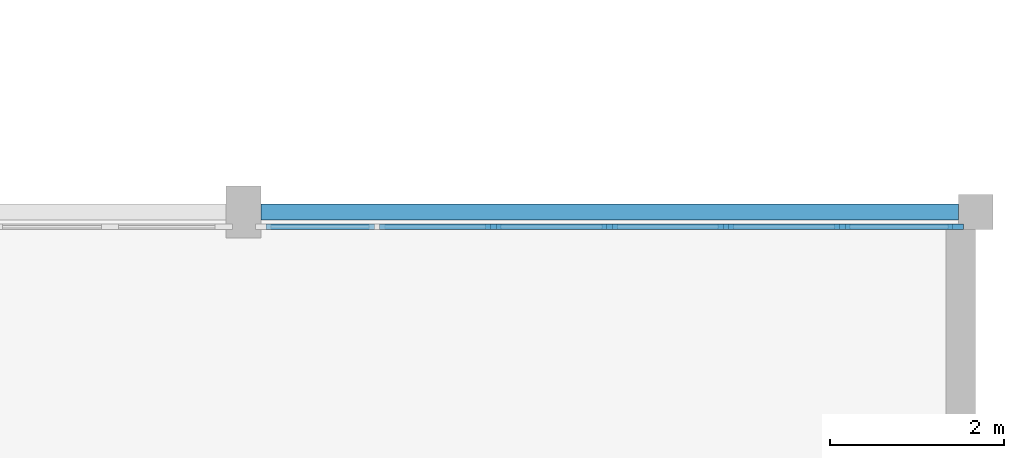
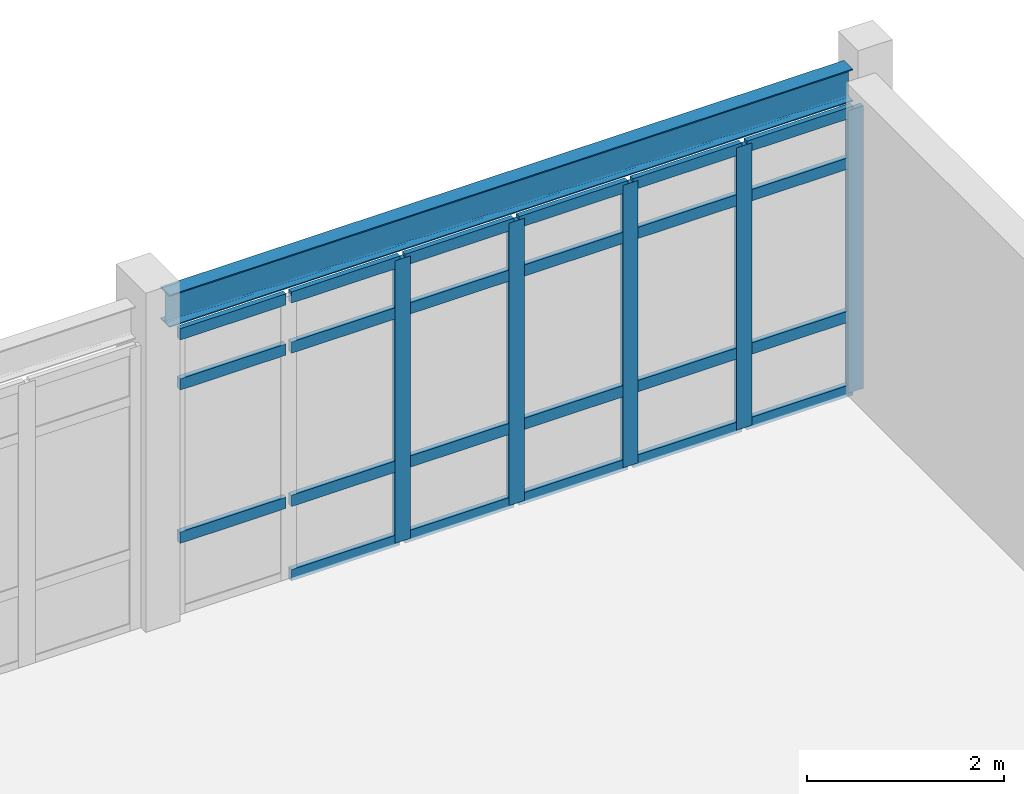
# One storey, part 95 of 147: 28 members, 1 beam, 1 element without a shape of its own.
"""IFC4 building model written with IfcOpenShell, lengths in metres."""

from ifc_helpers import new_model, si_unit, direction, frame, origin, origin_2d, place, context, subcontext, project, spatial, rectangle, i_section, extrude, material, material_profile, profile_set, type_object, element, aggregate, save


model = new_model("IFC4")

# Units and contexts
model_context = context("Model", 3, precision=1e-05, world=origin(), true_north=direction((0.0, 1.0)))
body_context = subcontext(model_context, "Body", "Model", "MODEL_VIEW")
ifc_project = project(units=[si_unit("LENGTHUNIT", "METRE"), si_unit("AREAUNIT", "SQUARE_METRE"), si_unit("VOLUMEUNIT", "CUBIC_METRE"), si_unit("PLANEANGLEUNIT", "RADIAN"), si_unit("MASSUNIT", "GRAM", prefix="KILO")], contexts=[model_context])

# Site, building, storey
site_placement = place(None, origin())
site = spatial("IfcSite", under=ifc_project, at=site_placement, CompositionType="ELEMENT")
building_placement = place(site_placement, origin())
building = spatial("IfcBuilding", under=site, at=building_placement, Name="Malvenik Polytechnic", CompositionType="ELEMENT")
storey_placement = place(building_placement, frame((0.0, 0.0, 5.10009765625)))
storey = spatial("IfcBuildingStorey", under=building, at=storey_placement, Name="L01", CompositionType="ELEMENT", Elevation=5.10009765625)

# Curtain wall, members
ifc_material_1 = material(Name="Anodised aluminium 6060-T6", Category="aluminium")
curtain_wall_type = type_object("IfcCurtainWallType", Name="ARC-CW-CW-02", PredefinedType="NOTDEFINED", material=ifc_material_1)
curtain_wall_placement = place(storey_placement, origin())
curtain_wall = element("IfcCurtainWall", 1, at=curtain_wall_placement, inside=storey, type_object=curtain_wall_type, Name="Unitised Curtain Wall CW-02 L01 #70", PredefinedType="NOTDEFINED")
ifc_material_2 = material(Name="Anodised aluminium", Category="aluminium")
ifc_material_profile_1 = material_profile(ifc_material_2, rectangle(XDim=0.06005859375, YDim=0.179931640625, at=origin_2d()), Name="ALU MULLION 60x180")
ifc_profile_set_1 = profile_set([ifc_material_profile_1], Name="Anodised aluminium")
member_type_1 = type_object("IfcMemberType", Name="ARC-CWM-180", PredefinedType="MULLION", material=ifc_profile_set_1)
member_1_placement = place(storey_placement, frame((179.26611328125, 107.830078125, 0.0), z_axis=(0.0, 0.0, 1.0), x_axis=(0.0, 1.0, 0.0)))
member_1 = element("IfcMember", 2, at=member_1_placement, type_object=member_type_1, Name="CW-02 mullion 3", PredefinedType="MULLION", context=body_context, shape_type="SweptSolid", body=[
    extrude(rectangle(XDim=0.06005859375, YDim=0.179931640625, at=origin_2d()), origin(), (0.0, 0.0, 1.0), 3.497802734375),
])
member_2_placement = place(storey_placement, frame((180.60009765625, 107.830078125, 0.0), z_axis=(0.0, 0.0, 1.0), x_axis=(0.0, 1.0, 0.0)))
member_2 = element("IfcMember", 3, at=member_2_placement, type_object=member_type_1, Name="CW-02 mullion 4", PredefinedType="MULLION", context=body_context, shape_type="SweptSolid", body=[
    extrude(rectangle(XDim=0.06005859375, YDim=0.179931640625, at=origin_2d()), origin(), (0.0, 0.0, 1.0), 3.497802734375),
])
member_3_placement = place(storey_placement, frame((181.93408203125, 107.830078125, 0.0), z_axis=(0.0, 0.0, 1.0), x_axis=(0.0, 1.0, 0.0)))
member_3 = element("IfcMember", 4, at=member_3_placement, type_object=member_type_1, Name="CW-02 mullion 5", PredefinedType="MULLION", context=body_context, shape_type="SweptSolid", body=[
    extrude(rectangle(XDim=0.06005859375, YDim=0.179931640625, at=origin_2d()), origin(), (0.0, 0.0, 1.0), 3.497802734375),
])
member_4_placement = place(storey_placement, frame((183.26806640625, 107.830078125, 0.0), z_axis=(0.0, 0.0, 1.0), x_axis=(0.0, 1.0, 0.0)))
member_4 = element("IfcMember", 5, at=member_4_placement, type_object=member_type_1, Name="CW-02 mullion 6", PredefinedType="MULLION", context=body_context, shape_type="SweptSolid", body=[
    extrude(rectangle(XDim=0.06005859375, YDim=0.179931640625, at=origin_2d()), origin(), (0.0, 0.0, 1.0), 3.497802734375),
])
member_5_placement = place(storey_placement, frame((184.572021484375, 107.830078125, 0.0), z_axis=(0.0, 0.0, 1.0), x_axis=(0.0, 1.0, 0.0)))
member_5 = element("IfcMember", 6, at=member_5_placement, type_object=member_type_1, Name="CW-02 mullion 7", PredefinedType="MULLION", context=body_context, shape_type="SweptSolid", body=[
    extrude(rectangle(XDim=0.06005859375, YDim=0.179931640625, at=origin_2d()), origin(), (0.0, 0.0, 1.0), 3.497802734375),
])
ifc_material_profile_2 = material_profile(ifc_material_2, rectangle(XDim=0.06005859375, YDim=0.139892578125, at=origin_2d()), Name="ALU TRANSOM 60x140")
ifc_profile_set_2 = profile_set([ifc_material_profile_2], Name="Anodised aluminium")
member_type_2 = type_object("IfcMemberType", Name="ARC-CWT-140", PredefinedType="USERDEFINED", material=ifc_profile_set_2)
member_6_placement = place(storey_placement, frame((176.657958984375, 107.830078125, 0.949951171875), z_axis=(1.0, 0.0, 0.0), x_axis=(0.0, 1.0, 0.0)))
member_6 = element("IfcMember", 7, at=member_6_placement, type_object=member_type_2, Name="CW-02 transom 1.2", ObjectType="TRANSOM", PredefinedType="USERDEFINED", context=body_context, shape_type="SweptSolid", body=[
    extrude(rectangle(XDim=0.06005859375, YDim=0.139892578125, at=origin_2d()), origin(), (0.0, 0.0, 1.0), 1.244140625),
])
member_7_placement = place(storey_placement, frame((176.657958984375, 107.830078125, 2.847900390625), z_axis=(1.0, 0.0, 0.0), x_axis=(0.0, 1.0, 0.0)))
member_7 = element("IfcMember", 8, at=member_7_placement, type_object=member_type_2, Name="CW-02 transom 1.3", ObjectType="TRANSOM", PredefinedType="USERDEFINED", context=body_context, shape_type="SweptSolid", body=[
    extrude(rectangle(XDim=0.06005859375, YDim=0.139892578125, at=origin_2d()), origin(), (0.0, 0.0, 1.0), 1.244140625),
])
member_8_placement = place(storey_placement, frame((176.657958984375, 107.830078125, 3.468017578125), z_axis=(1.0, 0.0, 0.0), x_axis=(0.0, 1.0, 0.0)))
member_8 = element("IfcMember", 9, at=member_8_placement, type_object=member_type_2, Name="CW-02 transom 1.4", ObjectType="TRANSOM", PredefinedType="USERDEFINED", context=body_context, shape_type="SweptSolid", body=[
    extrude(rectangle(XDim=0.06005859375, YDim=0.139892578125, at=origin_2d()), origin(), (0.0, 0.0, 1.0), 1.244140625),
])
member_9_placement = place(storey_placement, frame((177.9619140625, 107.830078125, 0.02978515625), z_axis=(1.0, 0.0, 0.0), x_axis=(0.0, 1.0, 0.0)))
member_9 = element("IfcMember", 10, at=member_9_placement, type_object=member_type_2, Name="CW-02 transom 2.1", ObjectType="TRANSOM", PredefinedType="USERDEFINED", context=body_context, shape_type="SweptSolid", body=[
    extrude(rectangle(XDim=0.06005859375, YDim=0.139892578125, at=origin_2d()), origin(), (0.0, 0.0, 1.0), 1.274169921875),
])
member_10_placement = place(storey_placement, frame((177.9619140625, 107.830078125, 0.949951171875), z_axis=(1.0, 0.0, 0.0), x_axis=(0.0, 1.0, 0.0)))
member_10 = element("IfcMember", 11, at=member_10_placement, type_object=member_type_2, Name="CW-02 transom 2.2", ObjectType="TRANSOM", PredefinedType="USERDEFINED", context=body_context, shape_type="SweptSolid", body=[
    extrude(rectangle(XDim=0.06005859375, YDim=0.139892578125, at=origin_2d()), origin(), (0.0, 0.0, 1.0), 1.274169921875),
])
member_11_placement = place(storey_placement, frame((177.9619140625, 107.830078125, 2.847900390625), z_axis=(1.0, 0.0, 0.0), x_axis=(0.0, 1.0, 0.0)))
member_11 = element("IfcMember", 12, at=member_11_placement, type_object=member_type_2, Name="CW-02 transom 2.3", ObjectType="TRANSOM", PredefinedType="USERDEFINED", context=body_context, shape_type="SweptSolid", body=[
    extrude(rectangle(XDim=0.06005859375, YDim=0.139892578125, at=origin_2d()), origin(), (0.0, 0.0, 1.0), 1.274169921875),
])
member_12_placement = place(storey_placement, frame((177.9619140625, 107.830078125, 3.468017578125), z_axis=(1.0, 0.0, 0.0), x_axis=(0.0, 1.0, 0.0)))
member_12 = element("IfcMember", 13, at=member_12_placement, type_object=member_type_2, Name="CW-02 transom 2.4", ObjectType="TRANSOM", PredefinedType="USERDEFINED", context=body_context, shape_type="SweptSolid", body=[
    extrude(rectangle(XDim=0.06005859375, YDim=0.139892578125, at=origin_2d()), origin(), (0.0, 0.0, 1.0), 1.274169921875),
])
member_13_placement = place(storey_placement, frame((179.2958984375, 107.830078125, 0.02978515625), z_axis=(1.0, 0.0, 0.0), x_axis=(0.0, 1.0, 0.0)))
member_13 = element("IfcMember", 14, at=member_13_placement, type_object=member_type_2, Name="CW-02 transom 3.1", ObjectType="TRANSOM", PredefinedType="USERDEFINED", context=body_context, shape_type="SweptSolid", body=[
    extrude(rectangle(XDim=0.06005859375, YDim=0.139892578125, at=origin_2d()), origin(), (0.0, 0.0, 1.0), 1.274169921875),
])
member_14_placement = place(storey_placement, frame((179.2958984375, 107.830078125, 0.949951171875), z_axis=(1.0, 0.0, 0.0), x_axis=(0.0, 1.0, 0.0)))
member_14 = element("IfcMember", 15, at=member_14_placement, type_object=member_type_2, Name="CW-02 transom 3.2", ObjectType="TRANSOM", PredefinedType="USERDEFINED", context=body_context, shape_type="SweptSolid", body=[
    extrude(rectangle(XDim=0.06005859375, YDim=0.139892578125, at=origin_2d()), origin(), (0.0, 0.0, 1.0), 1.274169921875),
])
member_15_placement = place(storey_placement, frame((179.2958984375, 107.830078125, 2.847900390625), z_axis=(1.0, 0.0, 0.0), x_axis=(0.0, 1.0, 0.0)))
member_15 = element("IfcMember", 16, at=member_15_placement, type_object=member_type_2, Name="CW-02 transom 3.3", ObjectType="TRANSOM", PredefinedType="USERDEFINED", context=body_context, shape_type="SweptSolid", body=[
    extrude(rectangle(XDim=0.06005859375, YDim=0.139892578125, at=origin_2d()), origin(), (0.0, 0.0, 1.0), 1.274169921875),
])
member_16_placement = place(storey_placement, frame((179.2958984375, 107.830078125, 3.468017578125), z_axis=(1.0, 0.0, 0.0), x_axis=(0.0, 1.0, 0.0)))
member_16 = element("IfcMember", 17, at=member_16_placement, type_object=member_type_2, Name="CW-02 transom 3.4", ObjectType="TRANSOM", PredefinedType="USERDEFINED", context=body_context, shape_type="SweptSolid", body=[
    extrude(rectangle(XDim=0.06005859375, YDim=0.139892578125, at=origin_2d()), origin(), (0.0, 0.0, 1.0), 1.274169921875),
])
member_17_placement = place(storey_placement, frame((180.6298828125, 107.830078125, 0.02978515625), z_axis=(1.0, 0.0, 0.0), x_axis=(0.0, 1.0, 0.0)))
member_17 = element("IfcMember", 18, at=member_17_placement, type_object=member_type_2, Name="CW-02 transom 4.1", ObjectType="TRANSOM", PredefinedType="USERDEFINED", context=body_context, shape_type="SweptSolid", body=[
    extrude(rectangle(XDim=0.06005859375, YDim=0.139892578125, at=origin_2d()), origin(), (0.0, 0.0, 1.0), 1.274169921875),
])
member_18_placement = place(storey_placement, frame((180.6298828125, 107.830078125, 0.949951171875), z_axis=(1.0, 0.0, 0.0), x_axis=(0.0, 1.0, 0.0)))
member_18 = element("IfcMember", 19, at=member_18_placement, type_object=member_type_2, Name="CW-02 transom 4.2", ObjectType="TRANSOM", PredefinedType="USERDEFINED", context=body_context, shape_type="SweptSolid", body=[
    extrude(rectangle(XDim=0.06005859375, YDim=0.139892578125, at=origin_2d()), origin(), (0.0, 0.0, 1.0), 1.274169921875),
])
member_19_placement = place(storey_placement, frame((180.6298828125, 107.830078125, 2.847900390625), z_axis=(1.0, 0.0, 0.0), x_axis=(0.0, 1.0, 0.0)))
member_19 = element("IfcMember", 20, at=member_19_placement, type_object=member_type_2, Name="CW-02 transom 4.3", ObjectType="TRANSOM", PredefinedType="USERDEFINED", context=body_context, shape_type="SweptSolid", body=[
    extrude(rectangle(XDim=0.06005859375, YDim=0.139892578125, at=origin_2d()), origin(), (0.0, 0.0, 1.0), 1.274169921875),
])
member_20_placement = place(storey_placement, frame((180.6298828125, 107.830078125, 3.468017578125), z_axis=(1.0, 0.0, 0.0), x_axis=(0.0, 1.0, 0.0)))
member_20 = element("IfcMember", 21, at=member_20_placement, type_object=member_type_2, Name="CW-02 transom 4.4", ObjectType="TRANSOM", PredefinedType="USERDEFINED", context=body_context, shape_type="SweptSolid", body=[
    extrude(rectangle(XDim=0.06005859375, YDim=0.139892578125, at=origin_2d()), origin(), (0.0, 0.0, 1.0), 1.274169921875),
])
member_21_placement = place(storey_placement, frame((181.964111328125, 107.830078125, 0.02978515625), z_axis=(1.0, 0.0, 0.0), x_axis=(0.0, 1.0, 0.0)))
member_21 = element("IfcMember", 22, at=member_21_placement, type_object=member_type_2, Name="CW-02 transom 5.1", ObjectType="TRANSOM", PredefinedType="USERDEFINED", context=body_context, shape_type="SweptSolid", body=[
    extrude(rectangle(XDim=0.06005859375, YDim=0.139892578125, at=origin_2d()), origin(), (0.0, 0.0, 1.0), 1.27392578125),
])
member_22_placement = place(storey_placement, frame((181.964111328125, 107.830078125, 0.949951171875), z_axis=(1.0, 0.0, 0.0), x_axis=(0.0, 1.0, 0.0)))
member_22 = element("IfcMember", 23, at=member_22_placement, type_object=member_type_2, Name="CW-02 transom 5.2", ObjectType="TRANSOM", PredefinedType="USERDEFINED", context=body_context, shape_type="SweptSolid", body=[
    extrude(rectangle(XDim=0.06005859375, YDim=0.139892578125, at=origin_2d()), origin(), (0.0, 0.0, 1.0), 1.27392578125),
])
member_23_placement = place(storey_placement, frame((181.964111328125, 107.830078125, 2.847900390625), z_axis=(1.0, 0.0, 0.0), x_axis=(0.0, 1.0, 0.0)))
member_23 = element("IfcMember", 24, at=member_23_placement, type_object=member_type_2, Name="CW-02 transom 5.3", ObjectType="TRANSOM", PredefinedType="USERDEFINED", context=body_context, shape_type="SweptSolid", body=[
    extrude(rectangle(XDim=0.06005859375, YDim=0.139892578125, at=origin_2d()), origin(), (0.0, 0.0, 1.0), 1.27392578125),
])
member_24_placement = place(storey_placement, frame((181.964111328125, 107.830078125, 3.468017578125), z_axis=(1.0, 0.0, 0.0), x_axis=(0.0, 1.0, 0.0)))
member_24 = element("IfcMember", 25, at=member_24_placement, type_object=member_type_2, Name="CW-02 transom 5.4", ObjectType="TRANSOM", PredefinedType="USERDEFINED", context=body_context, shape_type="SweptSolid", body=[
    extrude(rectangle(XDim=0.06005859375, YDim=0.139892578125, at=origin_2d()), origin(), (0.0, 0.0, 1.0), 1.27392578125),
])
member_25_placement = place(storey_placement, frame((183.298095703125, 107.830078125, 0.02978515625), z_axis=(1.0, 0.0, 0.0), x_axis=(0.0, 1.0, 0.0)))
member_25 = element("IfcMember", 26, at=member_25_placement, type_object=member_type_2, Name="CW-02 transom 6.1", ObjectType="TRANSOM", PredefinedType="USERDEFINED", context=body_context, shape_type="SweptSolid", body=[
    extrude(rectangle(XDim=0.06005859375, YDim=0.139892578125, at=origin_2d()), origin(), (0.0, 0.0, 1.0), 1.243896484375),
])
member_26_placement = place(storey_placement, frame((183.298095703125, 107.830078125, 0.949951171875), z_axis=(1.0, 0.0, 0.0), x_axis=(0.0, 1.0, 0.0)))
member_26 = element("IfcMember", 27, at=member_26_placement, type_object=member_type_2, Name="CW-02 transom 6.2", ObjectType="TRANSOM", PredefinedType="USERDEFINED", context=body_context, shape_type="SweptSolid", body=[
    extrude(rectangle(XDim=0.06005859375, YDim=0.139892578125, at=origin_2d()), origin(), (0.0, 0.0, 1.0), 1.243896484375),
])
member_27_placement = place(storey_placement, frame((183.298095703125, 107.830078125, 2.847900390625), z_axis=(1.0, 0.0, 0.0), x_axis=(0.0, 1.0, 0.0)))
member_27 = element("IfcMember", 28, at=member_27_placement, type_object=member_type_2, Name="CW-02 transom 6.3", ObjectType="TRANSOM", PredefinedType="USERDEFINED", context=body_context, shape_type="SweptSolid", body=[
    extrude(rectangle(XDim=0.06005859375, YDim=0.139892578125, at=origin_2d()), origin(), (0.0, 0.0, 1.0), 1.243896484375),
])
member_28_placement = place(storey_placement, frame((183.298095703125, 107.830078125, 3.468017578125), z_axis=(1.0, 0.0, 0.0), x_axis=(0.0, 1.0, 0.0)))
member_28 = element("IfcMember", 29, at=member_28_placement, type_object=member_type_2, Name="CW-02 transom 6.4", ObjectType="TRANSOM", PredefinedType="USERDEFINED", context=body_context, shape_type="SweptSolid", body=[
    extrude(rectangle(XDim=0.06005859375, YDim=0.139892578125, at=origin_2d()), origin(), (0.0, 0.0, 1.0), 1.243896484375),
])
aggregate(curtain_wall, [member_1, member_2, member_3, member_4, member_5, member_6, member_7, member_8, member_9, member_10, member_11, member_12, member_13, member_14, member_15, member_16, member_17, member_18, member_19, member_20, member_21, member_22, member_23, member_24, member_25, member_26, member_27, member_28])

# Beam
ifc_material_3 = material(Name="Steel S355", Category="steel")
ifc_material_profile_3 = material_profile(ifc_material_3, i_section(OverallWidth=0.179931640625, OverallDepth=0.39990234375, WebThickness=0.008544921875, FlangeThickness=0.013427734375, FilletRadius=0.02099609375, at=origin_2d()), Name="IPE 400")
ifc_profile_set_3 = profile_set([ifc_material_profile_3], Name="Steel S355")
beam_type = type_object("IfcBeamType", Name="STR-BM-SB-08", PredefinedType="JOIST", material=ifc_profile_set_3)
beam_placement = place(storey_placement, frame((176.597900390625, 108.0, 3.7080078125), z_axis=(1.0, 0.0, 0.0), x_axis=(0.0, 1.0, 0.0)))
element("IfcBeam", 30, at=beam_placement, inside=storey, type_object=beam_type, Name="Beam SB-08 #6", PredefinedType="JOIST", context=body_context, shape_type="SweptSolid", body=[
    extrude(i_section(OverallWidth=0.179931640625, OverallDepth=0.39990234375, WebThickness=0.008544921875, FlangeThickness=0.013427734375, FilletRadius=0.02099609375, at=origin_2d()), origin(), (0.0, 0.0, 1.0), 8.004150390625),
])

save(model, "model.ifc")
